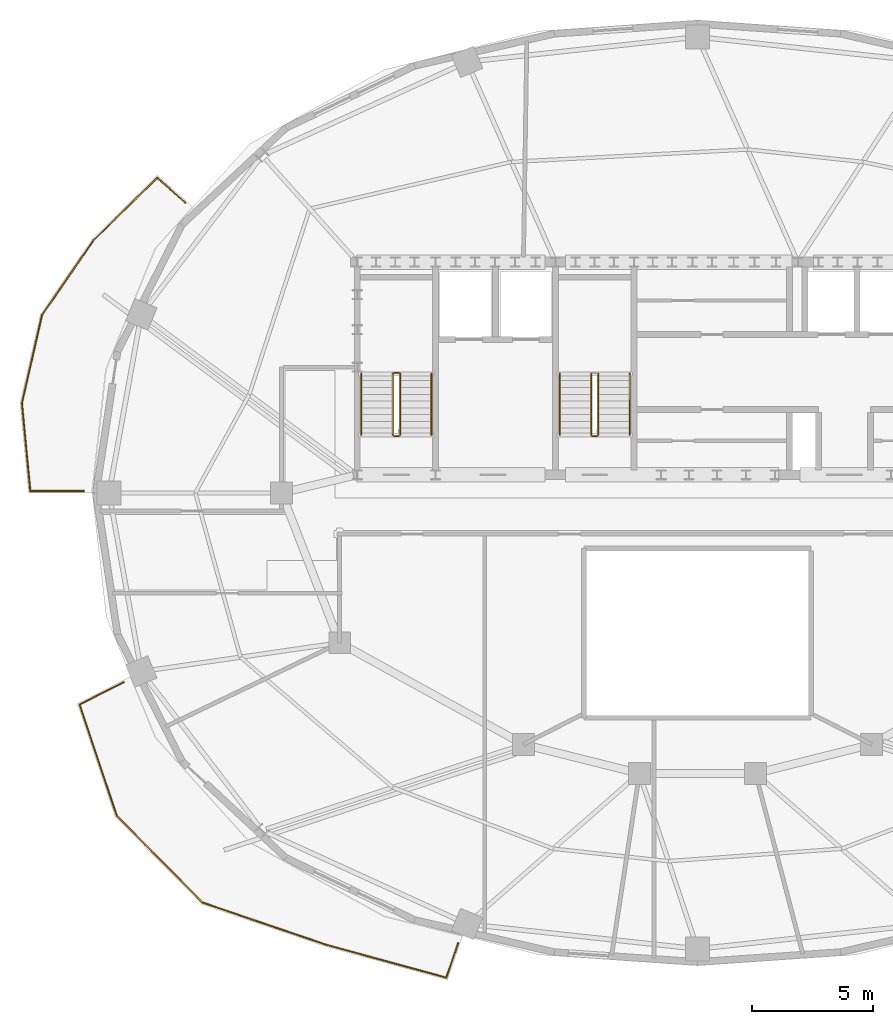
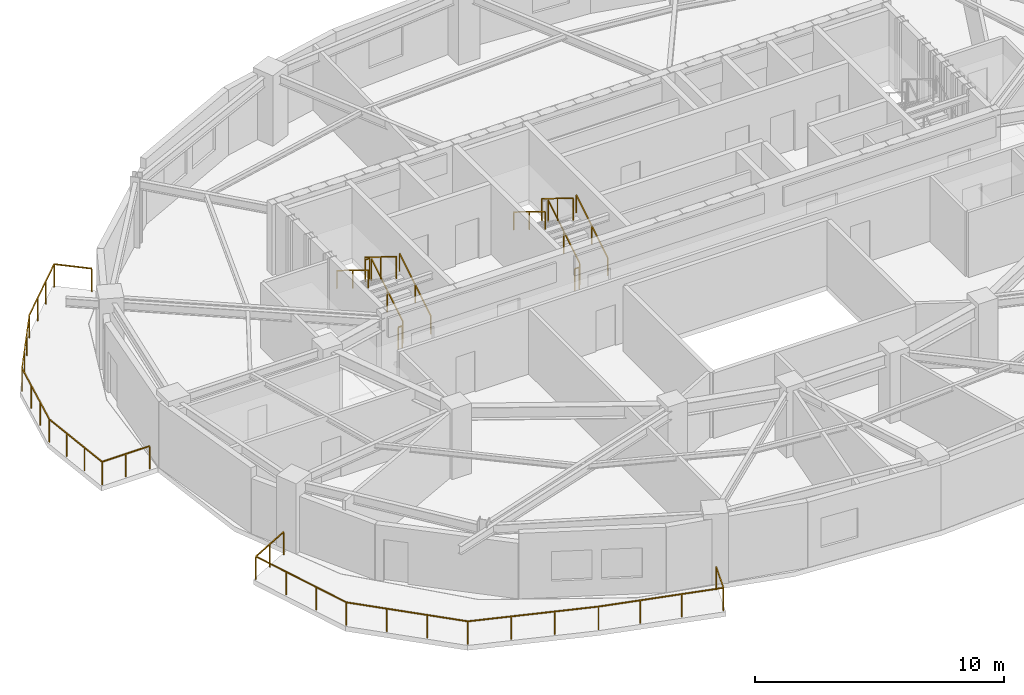
# One storey, part 7 of 10: 13 railings.
"""IFC4 building model written with IfcOpenShell, lengths in metres."""

from ifc_helpers import new_model, si_unit, direction, frame, origin, origin_2d, place, context, subcontext, project, spatial, rectangle, extrude, material, type_object, element, save


model = new_model("IFC4")

# Units and contexts
model_context = context("Model", 3, precision=1e-05, world=origin(), true_north=direction((0.0, 1.0)))
body_context = subcontext(model_context, "Body", "Model", "MODEL_VIEW")
ifc_project = project(units=[si_unit("LENGTHUNIT", "METRE"), si_unit("AREAUNIT", "SQUARE_METRE"), si_unit("VOLUMEUNIT", "CUBIC_METRE"), si_unit("PLANEANGLEUNIT", "RADIAN"), si_unit("MASSUNIT", "GRAM", prefix="KILO")], contexts=[model_context])

# Site, building, storey
site_placement = place(None, origin())
site = spatial("IfcSite", under=ifc_project, at=site_placement, CompositionType="ELEMENT")
building_placement = place(site_placement, origin())
building = spatial("IfcBuilding", under=site, at=building_placement, Name="Haldorwick Loom Tower", CompositionType="ELEMENT")
storey_placement = place(building_placement, frame((0.0, 0.0, 259.199951171875)))
storey = spatial("IfcBuildingStorey", under=building, at=storey_placement, Name="L70", CompositionType="ELEMENT", Elevation=259.199951171875)

# Railings
ifc_material_1 = material(Name="Galvanized Steel CSA G40.21 350W", Category="steel")
railing_type_1 = type_object("IfcRailingType", Name="ARC-RLG-BAL115", PredefinedType="BALUSTRADE", material=ifc_material_1)
railing_1_placement = place(storey_placement, frame((26.095458984375, 7.3701171875, 0.0)))
element("IfcRailing", 1, at=railing_1_placement, inside=storey, type_object=railing_type_1, Name="L70 Outdoor Terrace Guardrail SLB-L70-BAL_SW-1", PredefinedType="BALUSTRADE", context=body_context, shape_type="SweptSolid", body=[
    extrude(rectangle(XDim=0.048095703125, YDim=0.048095703125, at=origin_2d()), frame((0.0, 0.0, 1.1259765625), z_axis=(-0.322577679735, -0.946542994553, 0.0), x_axis=(0.946542994553, -0.322577679735, 0.0)), (0.0, 0.0, 1.0), 1.497802734375),
    extrude(rectangle(XDim=0.048095703125, YDim=0.048095703125, at=origin_2d()), frame((-0.483154296875, -1.417724609375, 1.1259765625), z_axis=(-0.964413443894, 0.264398769357, 0.0), x_axis=(-0.264398769357, -0.964413443894, 0.0)), (0.0, 0.0, 1.0), 5.1904296875),
    extrude(rectangle(XDim=0.048095703125, YDim=0.048095703125, at=origin_2d()), frame((-5.48876953125, -0.04541015625, 1.1259765625), z_axis=(-0.946265780919, 0.323389968709, 0.0), x_axis=(-0.323389968709, -0.946265780919, 0.0)), (0.0, 0.0, 1.0), 5.351806640625),
    extrude(rectangle(XDim=0.048095703125, YDim=0.048095703125, at=origin_2d()), frame((-10.552978515625, 1.685302734375, 1.1259765625), z_axis=(-0.703936868713, 0.710262546433, 0.0), x_axis=(-0.710262546433, -0.703936868713, 0.0)), (0.0, 0.0, 1.0), 5.055908203125),
    extrude(rectangle(XDim=0.048095703125, YDim=0.048095703125, at=origin_2d()), frame((-14.112060546875, 5.2763671875, 1.1259765625), z_axis=(-0.317435829882, 0.948279755087, 0.0), x_axis=(-0.948279755087, -0.317435829882, 0.0)), (0.0, 0.0, 1.0), 4.84912109375),
    extrude(rectangle(XDim=0.048095703125, YDim=0.048095703125, at=origin_2d()), frame((-15.6513671875, 9.874755859375, 1.1259765625), z_axis=(0.890345743052, 0.455285029217, 0.0), x_axis=(-0.455285029217, 0.890345743052, 0.0)), (0.0, 0.0, 1.0), 2.05224609375),
    extrude(rectangle(XDim=0.0419921875, YDim=0.0419921875, at=origin_2d()), origin(), (0.0, 0.0, 1.0), 1.101806640625),
    extrude(rectangle(XDim=0.0419921875, YDim=0.0419921875, at=origin_2d()), frame((-0.483154296875, -1.417724609375, 0.0)), (0.0, 0.0, 1.0), 1.101806640625),
    extrude(rectangle(XDim=0.0419921875, YDim=0.0419921875, at=origin_2d()), frame((-2.151611328125, -0.960205078125, 0.0)), (0.0, 0.0, 1.0), 1.101806640625),
    extrude(rectangle(XDim=0.0419921875, YDim=0.0419921875, at=origin_2d()), frame((-3.8203125, -0.5029296875, 0.0)), (0.0, 0.0, 1.0), 1.101806640625),
    extrude(rectangle(XDim=0.0419921875, YDim=0.0419921875, at=origin_2d()), frame((-5.48876953125, -0.04541015625, 0.0)), (0.0, 0.0, 1.0), 1.101806640625),
    extrude(rectangle(XDim=0.0419921875, YDim=0.0419921875, at=origin_2d()), frame((-7.1767578125, 0.531494140625, 0.0)), (0.0, 0.0, 1.0), 1.101806640625),
    extrude(rectangle(XDim=0.0419921875, YDim=0.0419921875, at=origin_2d()), frame((-8.864990234375, 1.1083984375, 0.0)), (0.0, 0.0, 1.0), 1.101806640625),
    extrude(rectangle(XDim=0.0419921875, YDim=0.0419921875, at=origin_2d()), frame((-10.552978515625, 1.685302734375, 0.0)), (0.0, 0.0, 1.0), 1.101806640625),
    extrude(rectangle(XDim=0.0419921875, YDim=0.0419921875, at=origin_2d()), frame((-11.7392578125, 2.88232421875, 0.0)), (0.0, 0.0, 1.0), 1.101806640625),
    extrude(rectangle(XDim=0.0419921875, YDim=0.0419921875, at=origin_2d()), frame((-12.92578125, 4.079345703125, 0.0)), (0.0, 0.0, 1.0), 1.101806640625),
    extrude(rectangle(XDim=0.0419921875, YDim=0.0419921875, at=origin_2d()), frame((-14.112060546875, 5.2763671875, 0.0)), (0.0, 0.0, 1.0), 1.101806640625),
    extrude(rectangle(XDim=0.0419921875, YDim=0.0419921875, at=origin_2d()), frame((-14.625244140625, 6.80908203125, 0.0)), (0.0, 0.0, 1.0), 1.101806640625),
    extrude(rectangle(XDim=0.0419921875, YDim=0.0419921875, at=origin_2d()), frame((-15.13818359375, 8.342041015625, 0.0)), (0.0, 0.0, 1.0), 1.101806640625),
    extrude(rectangle(XDim=0.0419921875, YDim=0.0419921875, at=origin_2d()), frame((-15.6513671875, 9.874755859375, 0.0)), (0.0, 0.0, 1.0), 1.101806640625),
    extrude(rectangle(XDim=0.0419921875, YDim=0.0419921875, at=origin_2d()), frame((-14.73779296875, 10.341796875, 0.0)), (0.0, 0.0, 1.0), 1.101806640625),
    extrude(rectangle(XDim=0.0419921875, YDim=0.0419921875, at=origin_2d()), frame((-13.82421875, 10.80908203125, 0.0)), (0.0, 0.0, 1.0), 1.101806640625),
])
railing_2_placement = place(storey_placement, frame((10.6201171875, 26.080078125, 0.0)))
element("IfcRailing", 2, at=railing_2_placement, inside=storey, type_object=railing_type_1, Name="L70 Outdoor Terrace Guardrail SLB-L70-BAL_WNW-1", PredefinedType="BALUSTRADE", context=body_context, shape_type="SweptSolid", body=[
    extrude(rectangle(XDim=0.048095703125, YDim=0.048095703125, at=origin_2d()), frame((0.0, 0.0, 1.1259765625), z_axis=(-1.0, 0.0, 0.0), x_axis=(0.0, -1.0, 0.0)), (0.0, 0.0, 1.0), 2.214111328125),
    extrude(rectangle(XDim=0.048095703125, YDim=0.048095703125, at=origin_2d()), frame((-2.214111328125, 0.0, 1.1259765625), z_axis=(-0.09458811461, 0.995516493371, 0.0), x_axis=(-0.995516493371, -0.09458811461, 0.0)), (0.0, 0.0, 1.0), 3.649658203125),
    extrude(rectangle(XDim=0.048095703125, YDim=0.048095703125, at=origin_2d()), frame((-2.559326171875, 3.63330078125, 1.1259765625), z_axis=(0.222686328314, 0.974890147238, 0.0), x_axis=(-0.974890147238, 0.222686328314, 0.0)), (0.0, 0.0, 1.0), 3.734130859375),
    extrude(rectangle(XDim=0.048095703125, YDim=0.048095703125, at=origin_2d()), frame((-1.727783203125, 7.273681640625, 1.1259765625), z_axis=(0.566625473996, 0.823975468214, 0.0), x_axis=(-0.823975468214, 0.566625473996, 0.0)), (0.0, 0.0, 1.0), 3.751953125),
    extrude(rectangle(XDim=0.048095703125, YDim=0.048095703125, at=origin_2d()), frame((0.398193359375, 10.365234375, 1.1259765625), z_axis=(0.714433376958, 0.699703472829, 0.0), x_axis=(-0.699703472829, 0.714433376958, 0.0)), (0.0, 0.0, 1.0), 3.696044921875),
    extrude(rectangle(XDim=0.048095703125, YDim=0.048095703125, at=origin_2d()), frame((3.038818359375, 12.951416015625, 1.1259765625), z_axis=(0.748094797848, -0.663591872639, 0.0), x_axis=(0.663591872639, 0.748094797848, 0.0)), (0.0, 0.0, 1.0), 1.551513671875),
    extrude(rectangle(XDim=0.0419921875, YDim=0.0419921875, at=origin_2d()), origin(), (0.0, 0.0, 1.0), 1.101806640625),
    extrude(rectangle(XDim=0.0419921875, YDim=0.0419921875, at=origin_2d()), frame((-1.10693359375, 0.0, 0.0)), (0.0, 0.0, 1.0), 1.101806640625),
    extrude(rectangle(XDim=0.0419921875, YDim=0.0419921875, at=origin_2d()), frame((-2.214111328125, 0.0, 0.0)), (0.0, 0.0, 1.0), 1.101806640625),
    extrude(rectangle(XDim=0.0419921875, YDim=0.0419921875, at=origin_2d()), frame((-2.3291015625, 1.211181640625, 0.0)), (0.0, 0.0, 1.0), 1.101806640625),
    extrude(rectangle(XDim=0.0419921875, YDim=0.0419921875, at=origin_2d()), frame((-2.4443359375, 2.422119140625, 0.0)), (0.0, 0.0, 1.0), 1.101806640625),
    extrude(rectangle(XDim=0.0419921875, YDim=0.0419921875, at=origin_2d()), frame((-2.559326171875, 3.63330078125, 0.0)), (0.0, 0.0, 1.0), 1.101806640625),
    extrude(rectangle(XDim=0.0419921875, YDim=0.0419921875, at=origin_2d()), frame((-2.2822265625, 4.8466796875, 0.0)), (0.0, 0.0, 1.0), 1.101806640625),
    extrude(rectangle(XDim=0.0419921875, YDim=0.0419921875, at=origin_2d()), frame((-2.0048828125, 6.060302734375, 0.0)), (0.0, 0.0, 1.0), 1.101806640625),
    extrude(rectangle(XDim=0.0419921875, YDim=0.0419921875, at=origin_2d()), frame((-1.727783203125, 7.273681640625, 0.0)), (0.0, 0.0, 1.0), 1.101806640625),
    extrude(rectangle(XDim=0.0419921875, YDim=0.0419921875, at=origin_2d()), frame((-1.01904296875, 8.30419921875, 0.0)), (0.0, 0.0, 1.0), 1.101806640625),
    extrude(rectangle(XDim=0.0419921875, YDim=0.0419921875, at=origin_2d()), frame((-0.310546875, 9.334716796875, 0.0)), (0.0, 0.0, 1.0), 1.101806640625),
    extrude(rectangle(XDim=0.0419921875, YDim=0.0419921875, at=origin_2d()), frame((0.398193359375, 10.365234375, 0.0)), (0.0, 0.0, 1.0), 1.101806640625),
    extrude(rectangle(XDim=0.0419921875, YDim=0.0419921875, at=origin_2d()), frame((1.2783203125, 11.227294921875, 0.0)), (0.0, 0.0, 1.0), 1.101806640625),
    extrude(rectangle(XDim=0.0419921875, YDim=0.0419921875, at=origin_2d()), frame((2.15869140625, 12.08935546875, 0.0)), (0.0, 0.0, 1.0), 1.101806640625),
    extrude(rectangle(XDim=0.0419921875, YDim=0.0419921875, at=origin_2d()), frame((3.038818359375, 12.951416015625, 0.0)), (0.0, 0.0, 1.0), 1.101806640625),
    extrude(rectangle(XDim=0.0419921875, YDim=0.0419921875, at=origin_2d()), frame((4.199462890625, 11.921875, 0.0)), (0.0, 0.0, 1.0), 1.101806640625),
])
ifc_material_2 = material(Name="Steel CSA G40.21 350W", Category="steel")
railing_type_2 = type_object("IfcRailingType", Name="ARC-RLG-GUARD112", PredefinedType="GUARDRAIL", material=ifc_material_2)
railing_3_placement = place(storey_placement, frame((23.699951171875, 28.39990234375, 0.172607421875)))
element("IfcRailing", 3, at=railing_3_placement, inside=storey, type_object=railing_type_2, Name="L70 ST-01 stair guard 1", PredefinedType="GUARDRAIL", context=body_context, shape_type="SweptSolid", body=[
    extrude(rectangle(XDim=0.048095703125, YDim=0.048095703125, at=origin_2d()), frame((0.0, 0.0, 1.076171875), z_axis=(0.0, 0.851400495292, 0.524516154772), x_axis=(-1.0, 0.0, 0.0)), (0.0, 0.0, 1.0), 2.9599609375),
    extrude(rectangle(XDim=0.0419921875, YDim=0.0419921875, at=origin_2d()), origin(), (0.0, 0.0, 1.0), 1.052001953125),
    extrude(rectangle(XDim=0.0419921875, YDim=0.0419921875, at=origin_2d()), frame((0.0, 1.260009765625, 0.7763671875)), (0.0, 0.0, 1.0), 1.052001953125),
    extrude(rectangle(XDim=0.0419921875, YDim=0.0419921875, at=origin_2d()), frame((0.0, 2.52001953125, 1.552490234375)), (0.0, 0.0, 1.0), 1.052001953125),
])
railing_4_placement = place(storey_placement, frame((23.64990234375, 30.969970703125, 1.72509765625)))
element("IfcRailing", 4, at=railing_4_placement, inside=storey, type_object=railing_type_2, Name="L70 ST-01 stair guard 2", PredefinedType="GUARDRAIL", context=body_context, shape_type="SweptSolid", body=[
    extrude(rectangle(XDim=0.048095703125, YDim=0.048095703125, at=origin_2d()), frame((0.0, 0.0, 1.076171875), z_axis=(-1.0, 0.0, 0.0), x_axis=(0.0, -1.0, 0.0)), (0.0, 0.0, 1.0), 0.199951171875),
    extrude(rectangle(XDim=0.0419921875, YDim=0.0419921875, at=origin_2d()), origin(), (0.0, 0.0, 1.0), 1.052001953125),
    extrude(rectangle(XDim=0.0419921875, YDim=0.0419921875, at=origin_2d()), frame((-0.199951171875, 0.0, 0.0)), (0.0, 0.0, 1.0), 1.052001953125),
])
railing_5_placement = place(storey_placement, frame((23.39990234375, 30.919921875, 1.8974609375)))
element("IfcRailing", 5, at=railing_5_placement, inside=storey, type_object=railing_type_2, Name="L70 ST-01 stair guard 3", PredefinedType="GUARDRAIL", context=body_context, shape_type="SweptSolid", body=[
    extrude(rectangle(XDim=0.048095703125, YDim=0.048095703125, at=origin_2d()), frame((0.0, 0.0, 1.076171875), z_axis=(0.0, -0.851400495292, 0.524516154772), x_axis=(1.0, 0.0, 0.0)), (0.0, 0.0, 1.0), 2.9599609375),
    extrude(rectangle(XDim=0.0419921875, YDim=0.0419921875, at=origin_2d()), origin(), (0.0, 0.0, 1.0), 1.052001953125),
    extrude(rectangle(XDim=0.0419921875, YDim=0.0419921875, at=origin_2d()), frame((0.0, -1.260009765625, 0.7763671875)), (0.0, 0.0, 1.0), 1.052001953125),
    extrude(rectangle(XDim=0.0419921875, YDim=0.0419921875, at=origin_2d()), frame((0.0, -2.52001953125, 1.552490234375)), (0.0, 0.0, 1.0), 1.052001953125),
])
railing_6_placement = place(storey_placement, frame((23.64990234375, 28.35009765625, 0.0)))
element("IfcRailing", 6, at=railing_6_placement, inside=storey, type_object=railing_type_2, Name="L70 ST-01 stair guard 4", PredefinedType="GUARDRAIL", context=body_context, shape_type="SweptSolid", body=[
    extrude(rectangle(XDim=0.048095703125, YDim=0.048095703125, at=origin_2d()), frame((0.0, 0.0, 1.076171875), z_axis=(-1.0, 0.0, 0.0), x_axis=(0.0, -1.0, 0.0)), (0.0, 0.0, 1.0), 0.199951171875),
    extrude(rectangle(XDim=0.0419921875, YDim=0.0419921875, at=origin_2d()), origin(), (0.0, 0.0, 1.0), 1.052001953125),
    extrude(rectangle(XDim=0.0419921875, YDim=0.0419921875, at=origin_2d()), frame((-0.199951171875, 0.0, 0.0)), (0.0, 0.0, 1.0), 1.052001953125),
])
railing_7_placement = place(storey_placement, frame((31.89990234375, 28.39990234375, 0.172607421875)))
element("IfcRailing", 7, at=railing_7_placement, inside=storey, type_object=railing_type_2, Name="L70 ST-03 stair guard 1", PredefinedType="GUARDRAIL", context=body_context, shape_type="SweptSolid", body=[
    extrude(rectangle(XDim=0.048095703125, YDim=0.048095703125, at=origin_2d()), frame((0.0, 0.0, 1.076171875), z_axis=(0.0, 0.851400495292, 0.524516154772), x_axis=(-1.0, 0.0, 0.0)), (0.0, 0.0, 1.0), 2.9599609375),
    extrude(rectangle(XDim=0.0419921875, YDim=0.0419921875, at=origin_2d()), origin(), (0.0, 0.0, 1.0), 1.052001953125),
    extrude(rectangle(XDim=0.0419921875, YDim=0.0419921875, at=origin_2d()), frame((0.0, 1.260009765625, 0.7763671875)), (0.0, 0.0, 1.0), 1.052001953125),
    extrude(rectangle(XDim=0.0419921875, YDim=0.0419921875, at=origin_2d()), frame((0.0, 2.52001953125, 1.552490234375)), (0.0, 0.0, 1.0), 1.052001953125),
])
railing_8_placement = place(storey_placement, frame((31.60009765625, 30.919921875, 1.8974609375)))
element("IfcRailing", 8, at=railing_8_placement, inside=storey, type_object=railing_type_2, Name="L70 ST-03 stair guard 3", PredefinedType="GUARDRAIL", context=body_context, shape_type="SweptSolid", body=[
    extrude(rectangle(XDim=0.048095703125, YDim=0.048095703125, at=origin_2d()), frame((0.0, 0.0, 1.076171875), z_axis=(0.0, -0.851400495292, 0.524516154772), x_axis=(1.0, 0.0, 0.0)), (0.0, 0.0, 1.0), 2.9599609375),
    extrude(rectangle(XDim=0.0419921875, YDim=0.0419921875, at=origin_2d()), origin(), (0.0, 0.0, 1.0), 1.052001953125),
    extrude(rectangle(XDim=0.0419921875, YDim=0.0419921875, at=origin_2d()), frame((0.0, -1.260009765625, 0.7763671875)), (0.0, 0.0, 1.0), 1.052001953125),
    extrude(rectangle(XDim=0.0419921875, YDim=0.0419921875, at=origin_2d()), frame((0.0, -2.52001953125, 1.552490234375)), (0.0, 0.0, 1.0), 1.052001953125),
])
railing_9_placement = place(storey_placement, frame((31.85009765625, 28.35009765625, 0.0)))
element("IfcRailing", 9, at=railing_9_placement, inside=storey, type_object=railing_type_2, Name="L70 ST-03 stair guard 4", PredefinedType="GUARDRAIL", context=body_context, shape_type="SweptSolid", body=[
    extrude(rectangle(XDim=0.048095703125, YDim=0.048095703125, at=origin_2d()), frame((0.0, 0.0, 1.076171875), z_axis=(-1.0, 0.0, 0.0), x_axis=(0.0, -1.0, 0.0)), (0.0, 0.0, 1.0), 0.2001953125),
    extrude(rectangle(XDim=0.0419921875, YDim=0.0419921875, at=origin_2d()), origin(), (0.0, 0.0, 1.0), 1.052001953125),
    extrude(rectangle(XDim=0.0419921875, YDim=0.0419921875, at=origin_2d()), frame((-0.2001953125, 0.0, 0.0)), (0.0, 0.0, 1.0), 1.052001953125),
])
railing_type_3 = type_object("IfcRailingType", Name="ARC-RLG-HAND092", PredefinedType="HANDRAIL", material=ifc_material_2)
railing_10_placement = place(storey_placement, frame((25.0, 28.39990234375, 0.172607421875)))
element("IfcRailing", 10, at=railing_10_placement, inside=storey, type_object=railing_type_3, Name="L70 ST-01 stair handrail 1", PredefinedType="HANDRAIL", context=body_context, shape_type="SweptSolid", body=[
    extrude(rectangle(XDim=0.048095703125, YDim=0.048095703125, at=origin_2d()), frame((0.0, 0.0, 0.8759765625), z_axis=(0.0, 0.851400495292, 0.524516154772), x_axis=(-1.0, 0.0, 0.0)), (0.0, 0.0, 1.0), 2.9599609375),
    extrude(rectangle(XDim=0.0419921875, YDim=0.0419921875, at=origin_2d()), origin(), (0.0, 0.0, 1.0), 0.851806640625),
    extrude(rectangle(XDim=0.0419921875, YDim=0.0419921875, at=origin_2d()), frame((0.0, 1.260009765625, 0.7763671875)), (0.0, 0.0, 1.0), 0.851806640625),
    extrude(rectangle(XDim=0.0419921875, YDim=0.0419921875, at=origin_2d()), frame((0.0, 2.52001953125, 1.552490234375)), (0.0, 0.0, 1.0), 0.851806640625),
])
railing_11_placement = place(storey_placement, frame((22.10009765625, 30.919921875, 1.8974609375)))
element("IfcRailing", 11, at=railing_11_placement, inside=storey, type_object=railing_type_3, Name="L70 ST-01 stair handrail 2", PredefinedType="HANDRAIL", context=body_context, shape_type="SweptSolid", body=[
    extrude(rectangle(XDim=0.048095703125, YDim=0.048095703125, at=origin_2d()), frame((0.0, 0.0, 0.8759765625), z_axis=(0.0, -0.851400495292, 0.524516154772), x_axis=(1.0, 0.0, 0.0)), (0.0, 0.0, 1.0), 2.9599609375),
    extrude(rectangle(XDim=0.0419921875, YDim=0.0419921875, at=origin_2d()), origin(), (0.0, 0.0, 1.0), 0.851806640625),
    extrude(rectangle(XDim=0.0419921875, YDim=0.0419921875, at=origin_2d()), frame((0.0, -1.260009765625, 0.7763671875)), (0.0, 0.0, 1.0), 0.851806640625),
    extrude(rectangle(XDim=0.0419921875, YDim=0.0419921875, at=origin_2d()), frame((0.0, -2.52001953125, 1.552490234375)), (0.0, 0.0, 1.0), 0.851806640625),
])
railing_12_placement = place(storey_placement, frame((33.199951171875, 28.39990234375, 0.172607421875)))
element("IfcRailing", 12, at=railing_12_placement, inside=storey, type_object=railing_type_3, Name="L70 ST-03 stair handrail 1", PredefinedType="HANDRAIL", context=body_context, shape_type="SweptSolid", body=[
    extrude(rectangle(XDim=0.048095703125, YDim=0.048095703125, at=origin_2d()), frame((0.0, 0.0, 0.8759765625), z_axis=(0.0, 0.851400495292, 0.524516154772), x_axis=(-1.0, 0.0, 0.0)), (0.0, 0.0, 1.0), 2.9599609375),
    extrude(rectangle(XDim=0.0419921875, YDim=0.0419921875, at=origin_2d()), origin(), (0.0, 0.0, 1.0), 0.851806640625),
    extrude(rectangle(XDim=0.0419921875, YDim=0.0419921875, at=origin_2d()), frame((0.0, 1.260009765625, 0.7763671875)), (0.0, 0.0, 1.0), 0.851806640625),
    extrude(rectangle(XDim=0.0419921875, YDim=0.0419921875, at=origin_2d()), frame((0.0, 2.52001953125, 1.552490234375)), (0.0, 0.0, 1.0), 0.851806640625),
])
railing_13_placement = place(storey_placement, frame((30.300048828125, 30.919921875, 1.8974609375)))
element("IfcRailing", 13, at=railing_13_placement, inside=storey, type_object=railing_type_3, Name="L70 ST-03 stair handrail 2", PredefinedType="HANDRAIL", context=body_context, shape_type="SweptSolid", body=[
    extrude(rectangle(XDim=0.048095703125, YDim=0.048095703125, at=origin_2d()), frame((0.0, 0.0, 0.8759765625), z_axis=(0.0, -0.851400495292, 0.524516154772), x_axis=(1.0, 0.0, 0.0)), (0.0, 0.0, 1.0), 2.9599609375),
    extrude(rectangle(XDim=0.0419921875, YDim=0.0419921875, at=origin_2d()), origin(), (0.0, 0.0, 1.0), 0.851806640625),
    extrude(rectangle(XDim=0.0419921875, YDim=0.0419921875, at=origin_2d()), frame((0.0, -1.260009765625, 0.7763671875)), (0.0, 0.0, 1.0), 0.851806640625),
    extrude(rectangle(XDim=0.0419921875, YDim=0.0419921875, at=origin_2d()), frame((0.0, -2.52001953125, 1.552490234375)), (0.0, 0.0, 1.0), 0.851806640625),
])

save(model, "model.ifc")
